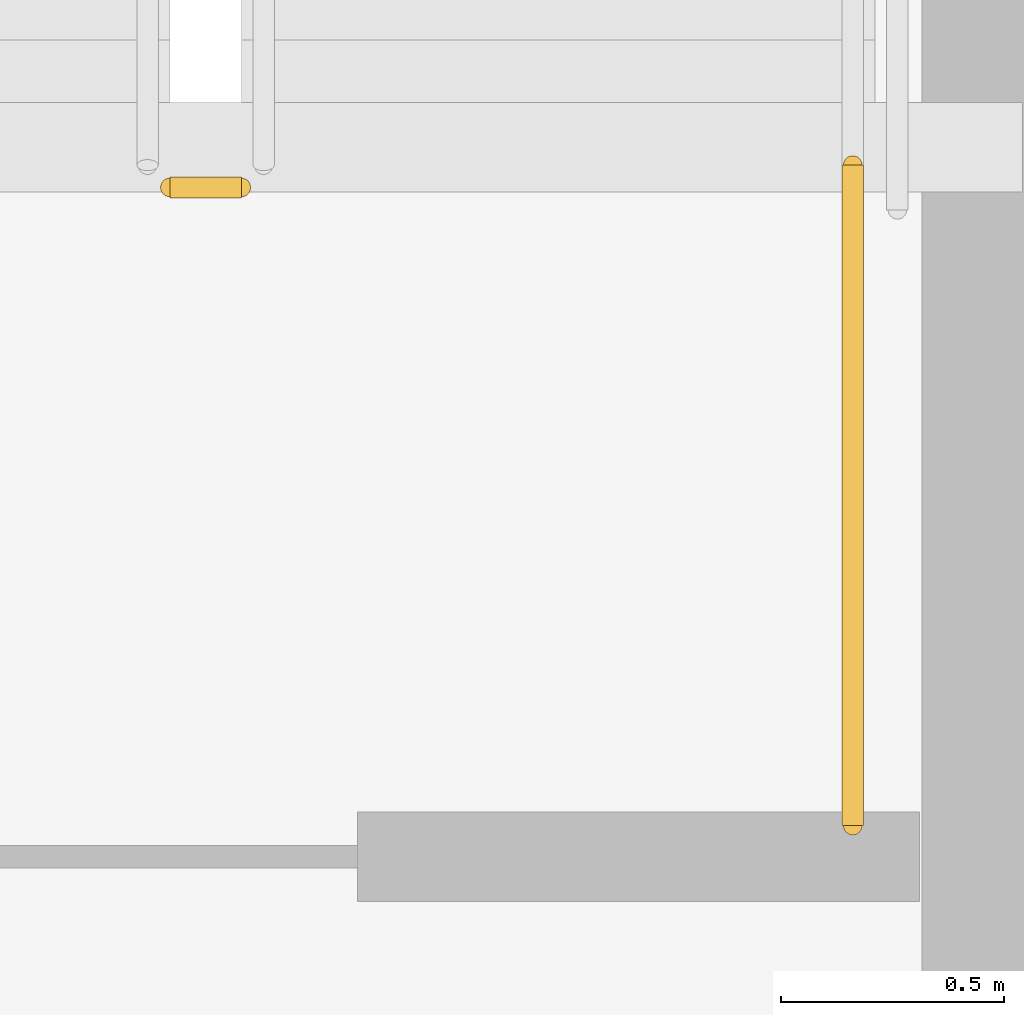
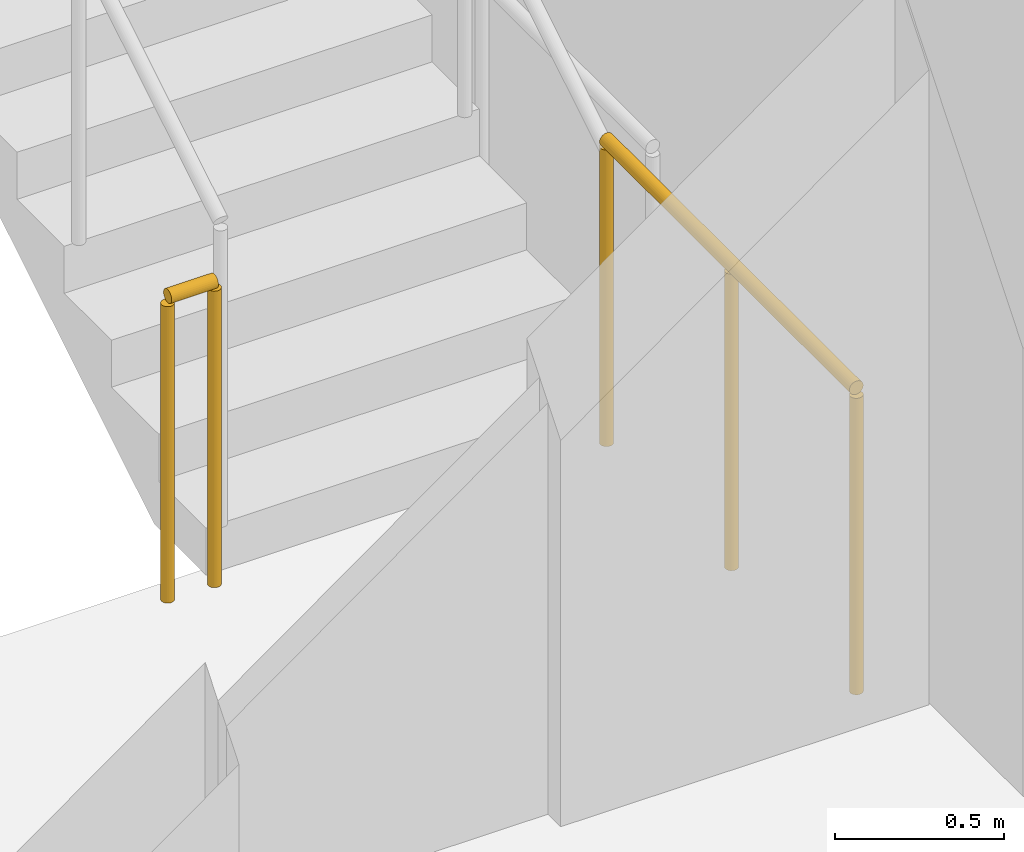
# One storey, part 28 of 32: 2 railings.
"""IFC4 building model written with IfcOpenShell, lengths in metres."""

from ifc_helpers import new_model, si_unit, direction, frame, origin, origin_2d, place, context, subcontext, project, spatial, circle, extrude, material, layer, layer_set, type_object, element, save


model = new_model("IFC4")

# Units and contexts
model_context = context("Model", 3, precision=1e-05, world=origin(), true_north=direction((0.0, 1.0)))
body_context = subcontext(model_context, "Body", "Model", "MODEL_VIEW")
ifc_project = project(units=[si_unit("LENGTHUNIT", "METRE"), si_unit("AREAUNIT", "SQUARE_METRE"), si_unit("VOLUMEUNIT", "CUBIC_METRE"), si_unit("PLANEANGLEUNIT", "RADIAN"), si_unit("MASSUNIT", "GRAM", prefix="KILO")], contexts=[model_context])

# Site, building, storey
site_placement = place(None, origin())
site = spatial("IfcSite", under=ifc_project, at=site_placement, CompositionType="ELEMENT")
building_placement = place(site_placement, origin())
building = spatial("IfcBuilding", under=site, at=building_placement, Name="Yelkora Congress Tower", CompositionType="ELEMENT")
storey_placement = place(building_placement, frame((0.0, 0.0, 120.300048828125)))
storey = spatial("IfcBuildingStorey", under=building, at=storey_placement, Name="L32", CompositionType="ELEMENT", Elevation=120.300048828125)

# Railings
ifc_material = material(Name="Painted galvanised steel stair well guard with vertical infill", Category="steel")
ifc_layer = layer(ifc_material, 0.06005859375)
ifc_layer_set = layer_set([ifc_layer], Name="Painted galvanised steel stair well guard with vertical infill")
railing_type = type_object("IfcRailingType", Name="RAIL-STAIR-GUARD-1120", PredefinedType="GUARDRAIL", material=ifc_layer_set)
railing_1_placement = place(storey_placement, frame((25.39990234375, 39.550048828125, 0.0)))
element("IfcRailing", 1, at=railing_1_placement, inside=storey, type_object=railing_type, Name="ST-01 L32 Stair Well Guardrail 7", PredefinedType="GUARDRAIL", context=body_context, shape_type="SweptSolid", body=[
    extrude(circle(Radius=0.02392578125, at=origin_2d()), frame((0.0, 0.0, 1.09619140625), z_axis=(-1.0, 0.0, 0.0), x_axis=(0.0, -1.0, 0.0)), (0.0, 0.0, 1.0), 0.159912109375),
    extrude(circle(Radius=0.02099609375, at=origin_2d()), origin(), (0.0, 0.0, 1.0), 1.072021484375),
    extrude(circle(Radius=0.02099609375, at=origin_2d()), frame((-0.159912109375, 0.0, 0.0)), (0.0, 0.0, 1.0), 1.072021484375),
])
railing_2_placement = place(storey_placement, frame((26.77001953125, 38.1201171875, 0.0)))
element("IfcRailing", 2, at=railing_2_placement, inside=storey, type_object=railing_type, Name="ST-01 L32 Stair Well Guardrail 8", PredefinedType="GUARDRAIL", context=body_context, shape_type="SweptSolid", body=[
    extrude(circle(Radius=0.02392578125, at=origin_2d()), frame((0.0, 0.0, 1.09619140625), z_axis=(0.0, 1.0, 0.0), x_axis=(-1.0, 0.0, 0.0)), (0.0, 0.0, 1.0), 1.47998046875),
    extrude(circle(Radius=0.02099609375, at=origin_2d()), origin(), (0.0, 0.0, 1.0), 1.072021484375),
    extrude(circle(Radius=0.02099609375, at=origin_2d()), frame((0.0, 0.739990234375, 0.0)), (0.0, 0.0, 1.0), 1.072021484375),
    extrude(circle(Radius=0.02099609375, at=origin_2d()), frame((0.0, 1.47998046875, 0.0)), (0.0, 0.0, 1.0), 1.072021484375),
])

save(model, "model.ifc")
